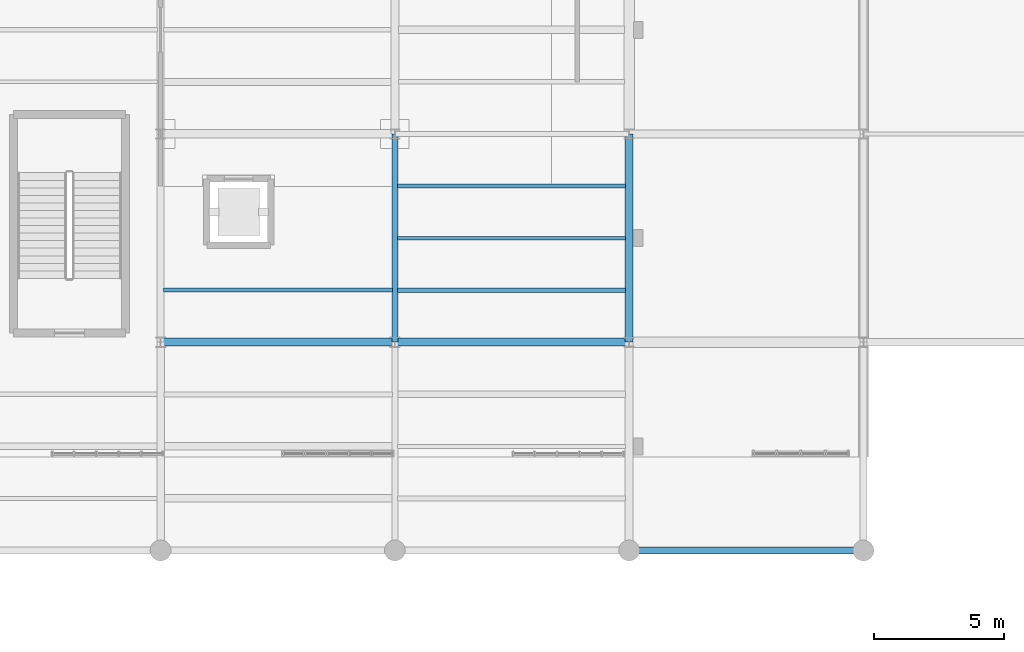
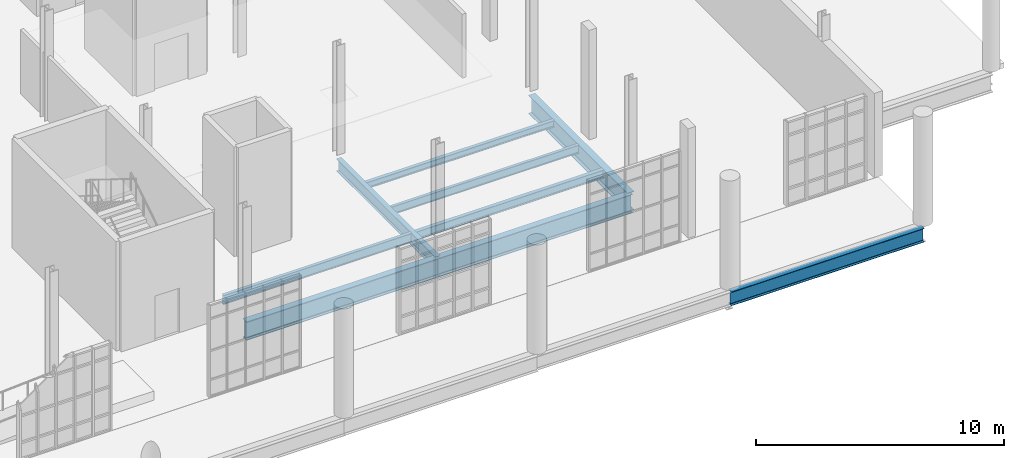
# One storey, part 105 of 189: 9 beams.
"""IFC4 building model written with IfcOpenShell, lengths in metres."""

from ifc_helpers import new_model, si_unit, direction, frame, origin, origin_2d, place, context, subcontext, project, spatial, i_section, extrude, material, material_profile, profile_set, type_object, element, save


model = new_model("IFC4")

# Units and contexts
model_context = context("Model", 3, precision=1e-05, world=origin(), true_north=direction((0.0, 1.0)))
body_context = subcontext(model_context, "Body", "Model", "MODEL_VIEW")
ifc_project = project(units=[si_unit("LENGTHUNIT", "METRE"), si_unit("AREAUNIT", "SQUARE_METRE"), si_unit("VOLUMEUNIT", "CUBIC_METRE"), si_unit("PLANEANGLEUNIT", "RADIAN"), si_unit("MASSUNIT", "GRAM", prefix="KILO"), si_unit("THERMODYNAMICTEMPERATUREUNIT", "KELVIN"), si_unit("POWERUNIT", "WATT")], contexts=[model_context])

# Site, building, storey
site_placement = place(None, origin())
site = spatial("IfcSite", under=ifc_project, at=site_placement, CompositionType="ELEMENT")
building_placement = place(site_placement, origin())
building = spatial("IfcBuilding", under=site, at=building_placement, Name="Zelmaris Science Centre", CompositionType="ELEMENT")
storey_placement = place(building_placement, origin())
storey = spatial("IfcBuildingStorey", under=building, at=storey_placement, Name="L00", CompositionType="ELEMENT", Elevation=0.0)

# Beams
ifc_material = material(Name="Steel ASTM A992 Grade 50", Category="steel")
ifc_material_profile_1 = material_profile(ifc_material, i_section(OverallWidth=0.25390625, OverallDepth=0.68310546875, WebThickness=0.012451171875, FlangeThickness=0.018798828125, FilletRadius=0.01806640625, at=origin_2d()), Name="W27X94")
ifc_profile_set_1 = profile_set([ifc_material_profile_1], Name="Steel ASTM A992 Grade 50")
beam_type_1 = type_object("IfcBeamType", Name="Beam G-13 W27X94", PredefinedType="BEAM", material=ifc_profile_set_1)
beam_1_placement = place(storey_placement, frame((144.0, 8.0, -0.62158203125), z_axis=(1.0, 0.0, 0.0), x_axis=(0.0, 1.0, 0.0)))
element("IfcBeam", 1, at=beam_1_placement, inside=storey, type_object=beam_type_1, Name="L00 East-west girder 100", PredefinedType="BEAM", context=body_context, shape_type="SweptSolid", body=[
    extrude(i_section(OverallWidth=0.25390625, OverallDepth=0.68310546875, WebThickness=0.012451171875, FlangeThickness=0.018798828125, FilletRadius=0.01806640625, at=origin_2d()), origin(), (0.0, 0.0, 1.0), 9.0),
])
ifc_material_profile_2 = material_profile(ifc_material, i_section(OverallWidth=0.22900390625, OverallDepth=0.60205078125, WebThickness=0.010498046875, FlangeThickness=0.014892578125, FilletRadius=0.014892578125, at=origin_2d()), Name="W24X68")
ifc_profile_set_2 = profile_set([ifc_material_profile_2], Name="Steel ASTM A992 Grade 50")
beam_type_2 = type_object("IfcBeamType", Name="Beam G-17 W24X68", PredefinedType="BEAM", material=ifc_profile_set_2)
beam_2_placement = place(storey_placement, frame((135.0, 16.0, -0.591064453125), z_axis=(0.0, 1.0, 0.0), x_axis=(-1.0, 0.0, 0.0)))
element("IfcBeam", 2, at=beam_2_placement, inside=storey, type_object=beam_type_2, Name="L00 North-south girder 72", PredefinedType="BEAM", context=body_context, shape_type="SweptSolid", body=[
    extrude(i_section(OverallWidth=0.22900390625, OverallDepth=0.60205078125, WebThickness=0.010498046875, FlangeThickness=0.014892578125, FilletRadius=0.014892578125, at=origin_2d()), origin(), (0.0, 0.0, 1.0), 8.0),
])
ifc_material_profile_3 = material_profile(ifc_material, i_section(OverallWidth=0.304931640625, OverallDepth=0.9189453125, WebThickness=0.017333984375, FlangeThickness=0.02783203125, FilletRadius=0.02392578125, at=origin_2d()), Name="W36X170")
ifc_profile_set_3 = profile_set([ifc_material_profile_3], Name="Steel ASTM A992 Grade 50")
beam_type_3 = type_object("IfcBeamType", Name="Beam G-26 W36X170", PredefinedType="BEAM", material=ifc_profile_set_3)
beam_3_placement = place(storey_placement, frame((126.0, 16.0, -0.74951171875), z_axis=(1.0, 0.0, 0.0), x_axis=(0.0, 1.0, 0.0)))
element("IfcBeam", 3, at=beam_3_placement, inside=storey, type_object=beam_type_3, Name="L00 East-west girder 108", PredefinedType="BEAM", context=body_context, shape_type="SweptSolid", body=[
    extrude(i_section(OverallWidth=0.304931640625, OverallDepth=0.9189453125, WebThickness=0.017333984375, FlangeThickness=0.02783203125, FilletRadius=0.02392578125, at=origin_2d()), origin(), (0.0, 0.0, 1.0), 9.0),
])
ifc_material_profile_4 = material_profile(ifc_material, i_section(OverallWidth=0.304931640625, OverallDepth=0.912109375, WebThickness=0.015869140625, FlangeThickness=0.02392578125, FilletRadius=0.02392578125, at=origin_2d()), Name="W36X150")
ifc_profile_set_4 = profile_set([ifc_material_profile_4], Name="Steel ASTM A992 Grade 50")
beam_type_4 = type_object("IfcBeamType", Name="Beam G-27 W36X150", PredefinedType="BEAM", material=ifc_profile_set_4)
beam_4_placement = place(storey_placement, frame((144.0, 16.0, -0.74609375), z_axis=(0.0, 1.0, 0.0), x_axis=(-1.0, 0.0, 0.0)))
element("IfcBeam", 4, at=beam_4_placement, inside=storey, type_object=beam_type_4, Name="L00 North-south girder 78", PredefinedType="BEAM", context=body_context, shape_type="SweptSolid", body=[
    extrude(i_section(OverallWidth=0.304931640625, OverallDepth=0.912109375, WebThickness=0.015869140625, FlangeThickness=0.02392578125, FilletRadius=0.02392578125, at=origin_2d()), origin(), (0.0, 0.0, 1.0), 8.0),
])
beam_5_placement = place(storey_placement, frame((135.0, 16.0, -0.74609375), z_axis=(1.0, 0.0, 0.0), x_axis=(0.0, 1.0, 0.0)))
element("IfcBeam", 5, at=beam_5_placement, inside=storey, type_object=beam_type_4, Name="L00 East-west girder 109", PredefinedType="BEAM", context=body_context, shape_type="SweptSolid", body=[
    extrude(i_section(OverallWidth=0.304931640625, OverallDepth=0.912109375, WebThickness=0.015869140625, FlangeThickness=0.02392578125, FilletRadius=0.02392578125, at=origin_2d()), origin(), (0.0, 0.0, 1.0), 9.0),
])
ifc_material_profile_5 = material_profile(ifc_material, i_section(OverallWidth=0.152099609375, OverallDepth=0.455078125, WebThickness=0.008056640625, FlangeThickness=0.01318359375, FilletRadius=0.012939453125, at=origin_2d()), Name="W18X40")
ifc_profile_set_5 = profile_set([ifc_material_profile_5], Name="Steel ASTM A992 Grade 50")
beam_type_5 = type_object("IfcBeamType", Name="Beam J-05 W18X40", PredefinedType="JOIST", material=ifc_profile_set_5)
beam_6_placement = place(storey_placement, frame((126.118408203125, 18.0, -0.517578125), z_axis=(1.0, 0.0, 0.0), x_axis=(0.0, 1.0, 0.0)))
element("IfcBeam", 6, at=beam_6_placement, inside=storey, type_object=beam_type_5, Name="L00 Composite floor joist 94", PredefinedType="JOIST", context=body_context, shape_type="SweptSolid", body=[
    extrude(i_section(OverallWidth=0.152099609375, OverallDepth=0.455078125, WebThickness=0.008056640625, FlangeThickness=0.01318359375, FilletRadius=0.012939453125, at=origin_2d()), origin(), (0.0, 0.0, 1.0), 8.781982421875),
])
ifc_material_profile_6 = material_profile(ifc_material, i_section(OverallWidth=0.177978515625, OverallDepth=0.408935546875, WebThickness=0.0087890625, FlangeThickness=0.014404296875, FilletRadius=0.011962890625, at=origin_2d()), Name="W16X45")
ifc_profile_set_6 = profile_set([ifc_material_profile_6], Name="Steel ASTM A992 Grade 50")
beam_type_6 = type_object("IfcBeamType", Name="Beam J-07 W16X45", PredefinedType="JOIST", material=ifc_profile_set_6)
beam_7_placement = place(storey_placement, frame((135.099609375, 18.0, -0.494384765625), z_axis=(1.0, 0.0, 0.0), x_axis=(0.0, 1.0, 0.0)))
element("IfcBeam", 7, at=beam_7_placement, inside=storey, type_object=beam_type_6, Name="L00 Composite floor joist 105", PredefinedType="JOIST", context=body_context, shape_type="SweptSolid", body=[
    extrude(i_section(OverallWidth=0.177978515625, OverallDepth=0.408935546875, WebThickness=0.0087890625, FlangeThickness=0.014404296875, FilletRadius=0.011962890625, at=origin_2d()), origin(), (0.0, 0.0, 1.0), 8.762939453125),
])
ifc_material_profile_7 = material_profile(ifc_material, i_section(OverallWidth=0.139892578125, OverallDepth=0.404052734375, WebThickness=0.007080078125, FlangeThickness=0.01123046875, FilletRadius=0.011962890625, at=origin_2d()), Name="W16X31")
ifc_profile_set_7 = profile_set([ifc_material_profile_7], Name="Steel ASTM A992 Grade 50")
beam_type_7 = type_object("IfcBeamType", Name="Beam J-08 W16X31", PredefinedType="JOIST", material=ifc_profile_set_7)
beam_8_placement = place(storey_placement, frame((135.099609375, 20.0, -0.491943359375), z_axis=(1.0, 0.0, 0.0), x_axis=(0.0, 1.0, 0.0)))
element("IfcBeam", 8, at=beam_8_placement, inside=storey, type_object=beam_type_7, Name="L00 Composite floor joist 106", PredefinedType="JOIST", context=body_context, shape_type="SweptSolid", body=[
    extrude(i_section(OverallWidth=0.139892578125, OverallDepth=0.404052734375, WebThickness=0.007080078125, FlangeThickness=0.01123046875, FilletRadius=0.011962890625, at=origin_2d()), origin(), (0.0, 0.0, 1.0), 8.762939453125),
])
ifc_material_profile_8 = material_profile(ifc_material, i_section(OverallWidth=0.1669921875, OverallDepth=0.318115234375, WebThickness=0.007568359375, FlangeThickness=0.01318359375, FilletRadius=0.011962890625, at=origin_2d()), Name="W12X35")
ifc_profile_set_8 = profile_set([ifc_material_profile_8], Name="Steel ASTM A992 Grade 50")
beam_type_8 = type_object("IfcBeamType", Name="Beam J-09 W12X35", PredefinedType="JOIST", material=ifc_profile_set_8)
beam_9_placement = place(storey_placement, frame((135.099609375, 22.0, -0.448974609375), z_axis=(1.0, 0.0, 0.0), x_axis=(0.0, 1.0, 0.0)))
element("IfcBeam", 9, at=beam_9_placement, inside=storey, type_object=beam_type_8, Name="L00 Composite floor joist 107", PredefinedType="JOIST", context=body_context, shape_type="SweptSolid", body=[
    extrude(i_section(OverallWidth=0.1669921875, OverallDepth=0.318115234375, WebThickness=0.007568359375, FlangeThickness=0.01318359375, FilletRadius=0.011962890625, at=origin_2d()), origin(), (0.0, 0.0, 1.0), 8.762939453125),
])

save(model, "model.ifc")
